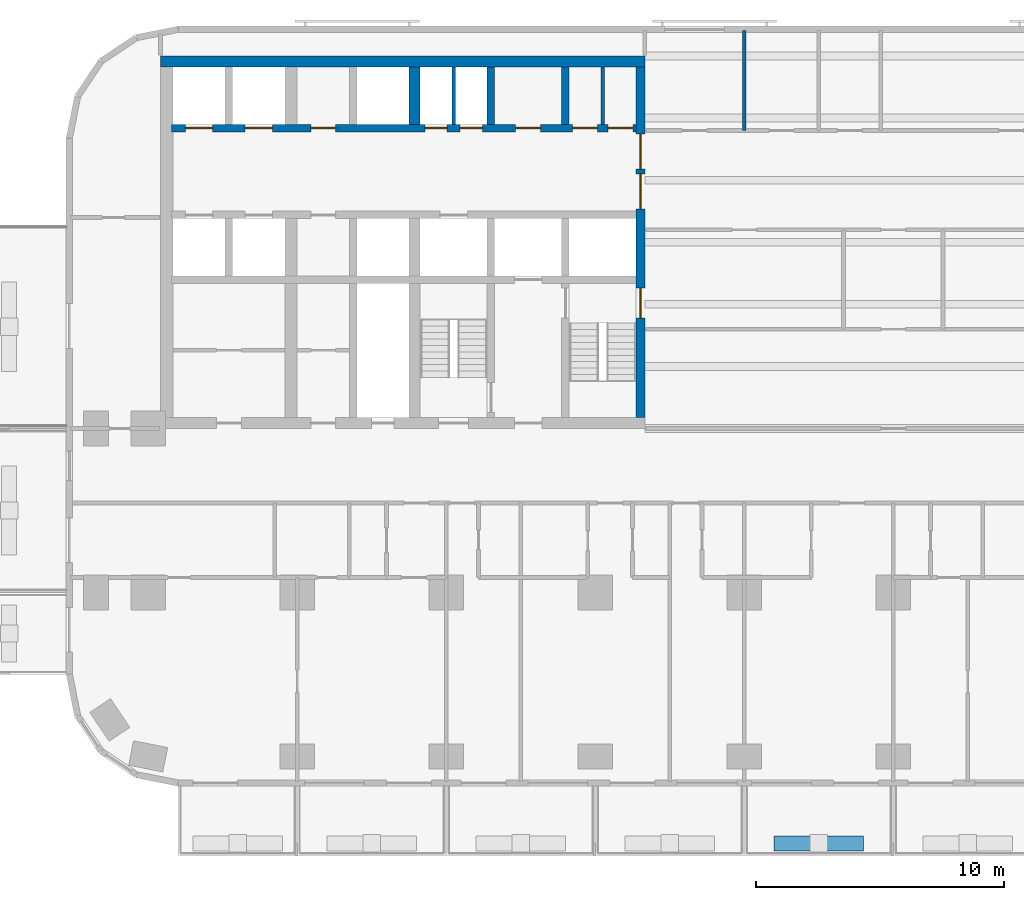
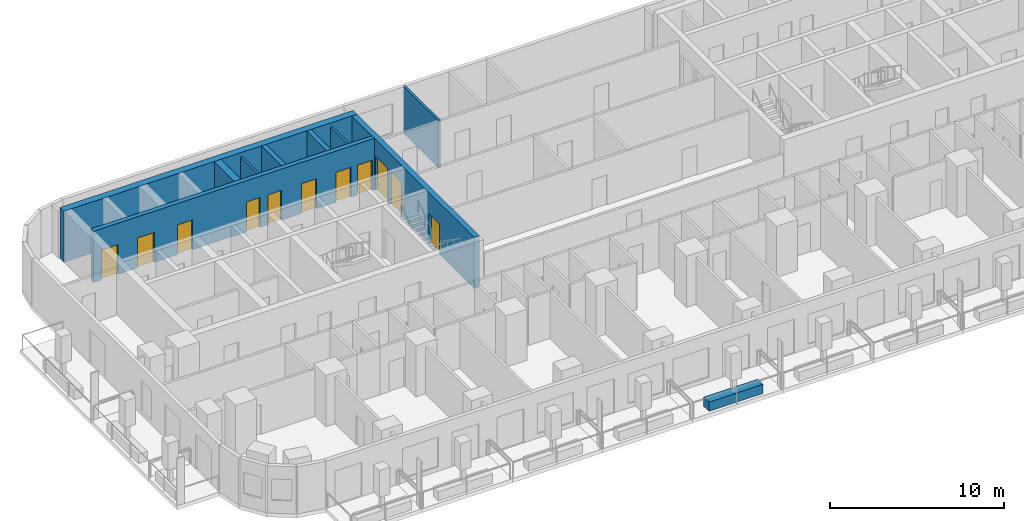
# One storey, part 4 of 15: 11 doors, 10 walls, 11 openings.
"""IFC4 building model written with IfcOpenShell, lengths in metres."""

from ifc_helpers import new_model, si_unit, direction, frame, frame_2d, origin, place, context, subcontext, project, spatial, rectangle, extrude, material, layer, layer_set, type_object, element, fill, save


model = new_model("IFC4")

# Units and contexts
model_context = context("Model", 3, precision=1e-05, world=origin(), true_north=direction((0.0, 1.0)))
body_context = subcontext(model_context, "Body", "Model", "MODEL_VIEW")
ifc_project = project(units=[si_unit("LENGTHUNIT", "METRE"), si_unit("AREAUNIT", "SQUARE_METRE"), si_unit("VOLUMEUNIT", "CUBIC_METRE"), si_unit("PLANEANGLEUNIT", "RADIAN"), si_unit("MASSUNIT", "GRAM", prefix="KILO")], contexts=[model_context])

# Site, building, storey
site_placement = place(None, origin())
site = spatial("IfcSite", under=ifc_project, at=site_placement, CompositionType="ELEMENT")
building_placement = place(site_placement, origin())
building = spatial("IfcBuilding", under=site, at=building_placement, Name="Torana Hotel and Residences", CompositionType="ELEMENT")
storey_placement = place(building_placement, frame((0.0, 0.0, 70.800048828125)))
storey = spatial("IfcBuildingStorey", under=building, at=storey_placement, Name="L17", CompositionType="ELEMENT", Elevation=70.800048828125)

# Wall, openings, doors
ifc_material_1 = material(Name="Concrete C80/95", Category="concrete")
ifc_layer_1 = layer(ifc_material_1, 0.300048828125)
ifc_layer_set_1 = layer_set([ifc_layer_1], Name="CORE WALL 300 C80/95")
wall_type_1 = type_object("IfcWallType", Name="CORE WALL 300 C80/95", PredefinedType="SHEAR", material=ifc_layer_set_1)
wall_1_placement = place(storey_placement, frame((-29.050048828125, -2.89990234375, 0.0), z_axis=(0.0, 0.0, 1.0), x_axis=(1.0, 0.0, 0.0)))
wall_1 = element("IfcWall", 1, at=wall_1_placement, inside=storey, type_object=wall_type_1, Name="Core wall W row-N", PredefinedType="SHEAR", context=body_context, shape_type="SweptSolid", body=[
    extrude(rectangle(XDim=18.699951171875, YDim=0.300048828125, at=frame_2d((9.35009765625, 0.0))), origin(), (0.0, 0.0, 1.0), 3.599853515625),
])
opening_1_placement = place(wall_1_placement, frame((2.949951171875, 0.0, 0.0)))
opening_1 = element("IfcOpeningElement", 2, at=opening_1_placement, cuts=wall_1, Name="Opening LD", PredefinedType="OPENING", context=body_context, shape_type="SweptSolid", body=[
    extrude(rectangle(XDim=1.10009765625, YDim=2.10009765625, at=frame_2d((0.550048828125, 1.050048828125))), frame((0.0, 0.159912109375, 0.0), z_axis=(0.0, -1.0, 0.0), x_axis=(1.0, 0.0, 0.0)), (0.0, 0.0, 1.0), 0.320068359375),
])
opening_2_placement = place(wall_1_placement, frame((0.550048828125, 0.0, 0.0)))
opening_2 = element("IfcOpeningElement", 3, at=opening_2_placement, cuts=wall_1, Name="Opening LD", PredefinedType="OPENING", context=body_context, shape_type="SweptSolid", body=[
    extrude(rectangle(XDim=1.10009765625, YDim=2.10009765625, at=frame_2d((0.550048828125, 1.050048828125))), frame((0.0, 0.159912109375, 0.0), z_axis=(0.0, -1.0, 0.0), x_axis=(1.0, 0.0, 0.0)), (0.0, 0.0, 1.0), 0.320068359375),
])
opening_3_placement = place(wall_1_placement, frame((11.612548828125, 0.0, 0.0)))
opening_3 = element("IfcOpeningElement", 4, at=opening_3_placement, cuts=wall_1, Name="Opening L17-09", PredefinedType="OPENING", context=body_context, shape_type="SweptSolid", body=[
    extrude(rectangle(XDim=0.89990234375, YDim=2.10009765625, at=frame_2d((0.449951171875, 1.050048828125))), frame((0.0, 0.159912109375, 0.0), z_axis=(0.0, -1.0, 0.0), x_axis=(1.0, 0.0, 0.0)), (0.0, 0.0, 1.0), 0.320068359375),
])
opening_4_placement = place(wall_1_placement, frame((10.1875, 0.0, 0.0)))
opening_4 = element("IfcOpeningElement", 5, at=opening_4_placement, cuts=wall_1, Name="Opening L17-10", PredefinedType="OPENING", context=body_context, shape_type="SweptSolid", body=[
    extrude(rectangle(XDim=0.89990234375, YDim=2.10009765625, at=frame_2d((0.449951171875, 1.050048828125))), frame((0.0, 0.159912109375, 0.0), z_axis=(0.0, -1.0, 0.0), x_axis=(1.0, 0.0, 0.0)), (0.0, 0.0, 1.0), 0.320068359375),
])
opening_5_placement = place(wall_1_placement, frame((17.5625, 0.0, 0.0)))
opening_5 = element("IfcOpeningElement", 6, at=opening_5_placement, cuts=wall_1, Name="Opening L17-11", PredefinedType="OPENING", context=body_context, shape_type="SweptSolid", body=[
    extrude(rectangle(XDim=1.0, YDim=2.10009765625, at=frame_2d((0.5, 1.050048828125))), frame((0.0, 0.159912109375, 0.0), z_axis=(0.0, -1.0, 0.0), x_axis=(1.0, 0.0, 0.0)), (0.0, 0.0, 1.0), 0.320068359375),
])
opening_6_placement = place(wall_1_placement, frame((16.137451171875, 0.0, 0.0)))
opening_6 = element("IfcOpeningElement", 7, at=opening_6_placement, cuts=wall_1, Name="Opening L17-12", PredefinedType="OPENING", context=body_context, shape_type="SweptSolid", body=[
    extrude(rectangle(XDim=1.0, YDim=2.10009765625, at=frame_2d((0.5, 1.050048828125))), frame((0.0, 0.159912109375, 0.0), z_axis=(0.0, -1.0, 0.0), x_axis=(1.0, 0.0, 0.0)), (0.0, 0.0, 1.0), 0.320068359375),
])
opening_7_placement = place(wall_1_placement, frame((13.85009765625, 0.0, 0.0)))
opening_7 = element("IfcOpeningElement", 8, at=opening_7_placement, cuts=wall_1, Name="Opening L17-13", PredefinedType="OPENING", context=body_context, shape_type="SweptSolid", body=[
    extrude(rectangle(XDim=1.0, YDim=2.10009765625, at=frame_2d((0.5, 1.050048828125))), frame((0.0, 0.159912109375, 0.0), z_axis=(0.0, -1.0, 0.0), x_axis=(1.0, 0.0, 0.0)), (0.0, 0.0, 1.0), 0.320068359375),
])
opening_8_placement = place(wall_1_placement, frame((5.60009765625, 0.0, 0.0)))
opening_8 = element("IfcOpeningElement", 9, at=opening_8_placement, cuts=wall_1, Name="Opening L17-14", PredefinedType="OPENING", context=body_context, shape_type="SweptSolid", body=[
    extrude(rectangle(XDim=1.0, YDim=2.10009765625, at=frame_2d((0.5, 1.050048828125))), frame((0.0, 0.159912109375, 0.0), z_axis=(0.0, -1.0, 0.0), x_axis=(1.0, 0.0, 0.0)), (0.0, 0.0, 1.0), 0.320068359375),
])
ifc_material_2 = material(Name="Steel S235", Category="steel")
door_type_1 = type_object("IfcDoorType", Name="CORE ROOM FIRE DOOR D14 1000x2100", OperationType="SINGLE_SWING_LEFT", PredefinedType="DOOR", material=ifc_material_2)
door_1_placement = place(opening_5_placement, origin())
door_1 = element("IfcDoor", 10, at=door_1_placement, inside=storey, type_object=door_type_1, Name="N0A door L17", OperationType="SINGLE_SWING_RIGHT", OverallHeight=2.10009765625, OverallWidth=1.0, PredefinedType="DOOR", context=body_context, shape_type="SweptSolid", body=[
    extrude(rectangle(XDim=1.0, YDim=2.10009765625, at=frame_2d((0.5, 1.050048828125))), frame((0.0, 0.02490234375, 0.0), z_axis=(0.0, -1.0, 0.0), x_axis=(1.0, 0.0, 0.0)), (0.0, 0.0, 1.0), 0.050048828125),
])
fill(opening_5, door_1)
door_2_placement = place(opening_6_placement, origin())
door_2 = element("IfcDoor", 11, at=door_2_placement, inside=storey, type_object=door_type_1, Name="N0B door L17", OperationType="SINGLE_SWING_RIGHT", OverallHeight=2.10009765625, OverallWidth=1.0, PredefinedType="DOOR", context=body_context, shape_type="SweptSolid", body=[
    extrude(rectangle(XDim=1.0, YDim=2.10009765625, at=frame_2d((0.5, 1.050048828125))), frame((0.0, 0.02490234375, 0.0), z_axis=(0.0, -1.0, 0.0), x_axis=(1.0, 0.0, 0.0)), (0.0, 0.0, 1.0), 0.050048828125),
])
fill(opening_6, door_2)
door_3_placement = place(opening_7_placement, origin())
door_3 = element("IfcDoor", 12, at=door_3_placement, inside=storey, type_object=door_type_1, Name="N1 door L17", OperationType="SINGLE_SWING_RIGHT", OverallHeight=2.10009765625, OverallWidth=1.0, PredefinedType="DOOR", context=body_context, shape_type="SweptSolid", body=[
    extrude(rectangle(XDim=1.0, YDim=2.10009765625, at=frame_2d((0.5, 1.050048828125))), frame((0.0, 0.02490234375, 0.0), z_axis=(0.0, -1.0, 0.0), x_axis=(1.0, 0.0, 0.0)), (0.0, 0.0, 1.0), 0.050048828125),
])
fill(opening_7, door_3)
door_4_placement = place(opening_8_placement, origin())
door_4 = element("IfcDoor", 13, at=door_4_placement, inside=storey, type_object=door_type_1, Name="Free-M1 door L17", OperationType="SINGLE_SWING_RIGHT", OverallHeight=2.10009765625, OverallWidth=1.0, PredefinedType="DOOR", context=body_context, shape_type="SweptSolid", body=[
    extrude(rectangle(XDim=1.0, YDim=2.10009765625, at=frame_2d((0.5, 1.050048828125))), frame((0.0, 0.02490234375, 0.0), z_axis=(0.0, -1.0, 0.0), x_axis=(1.0, 0.0, 0.0)), (0.0, 0.0, 1.0), 0.050048828125),
])
fill(opening_8, door_4)
ifc_material_3 = material(Name="Stainless steel 316", Category="steel")
door_type_2 = type_object("IfcDoorType", Name="LIFT LANDING DOOR LD 1100x2100", OperationType="DOUBLE_DOOR_SLIDING", PredefinedType="USERDEFINED", material=ifc_material_3)
door_5_placement = place(opening_1_placement, origin())
door_5 = element("IfcDoor", 14, at=door_5_placement, inside=storey, type_object=door_type_2, Name="Lift landing door L1 L17", ObjectType="LIFT LANDING DOOR", OperationType="DOUBLE_DOOR_SLIDING", OverallHeight=2.10009765625, OverallWidth=1.10009765625, PredefinedType="USERDEFINED", context=body_context, shape_type="SweptSolid", body=[
    extrude(rectangle(XDim=1.10009765625, YDim=2.10009765625, at=frame_2d((0.550048828125, 1.050048828125))), frame((0.0, 0.02490234375, 0.0), z_axis=(0.0, -1.0, 0.0), x_axis=(1.0, 0.0, 0.0)), (0.0, 0.0, 1.0), 0.050048828125),
])
fill(opening_1, door_5)
door_6_placement = place(opening_2_placement, origin())
door_6 = element("IfcDoor", 15, at=door_6_placement, inside=storey, type_object=door_type_2, Name="Lift landing door L2 L17", ObjectType="LIFT LANDING DOOR", OperationType="DOUBLE_DOOR_SLIDING", OverallHeight=2.10009765625, OverallWidth=1.10009765625, PredefinedType="USERDEFINED", context=body_context, shape_type="SweptSolid", body=[
    extrude(rectangle(XDim=1.10009765625, YDim=2.10009765625, at=frame_2d((0.550048828125, 1.050048828125))), frame((0.0, 0.02490234375, 0.0), z_axis=(0.0, -1.0, 0.0), x_axis=(1.0, 0.0, 0.0)), (0.0, 0.0, 1.0), 0.050048828125),
])
fill(opening_2, door_6)
ifc_material_4 = material(Name="Steel S235", Category="steel")
door_type_3 = type_object("IfcDoorType", Name="RISER ACCESS DOOR D5 900x2100", OperationType="SINGLE_SWING_LEFT", PredefinedType="DOOR", material=ifc_material_4)
door_7_placement = place(opening_3_placement, origin())
door_7 = element("IfcDoor", 16, at=door_7_placement, inside=storey, type_object=door_type_3, Name="N2A door L17", OperationType="SINGLE_SWING_RIGHT", OverallHeight=2.10009765625, OverallWidth=0.89990234375, PredefinedType="DOOR", context=body_context, shape_type="SweptSolid", body=[
    extrude(rectangle(XDim=0.89990234375, YDim=2.10009765625, at=frame_2d((0.449951171875, 1.050048828125))), frame((0.0, 0.02490234375, 0.0), z_axis=(0.0, -1.0, 0.0), x_axis=(1.0, 0.0, 0.0)), (0.0, 0.0, 1.0), 0.050048828125),
])
fill(opening_3, door_7)
door_8_placement = place(opening_4_placement, origin())
door_8 = element("IfcDoor", 17, at=door_8_placement, inside=storey, type_object=door_type_3, Name="N2B door L17", OperationType="SINGLE_SWING_RIGHT", OverallHeight=2.10009765625, OverallWidth=0.89990234375, PredefinedType="DOOR", context=body_context, shape_type="SweptSolid", body=[
    extrude(rectangle(XDim=0.89990234375, YDim=2.10009765625, at=frame_2d((0.449951171875, 1.050048828125))), frame((0.0, 0.02490234375, 0.0), z_axis=(0.0, -1.0, 0.0), x_axis=(1.0, 0.0, 0.0)), (0.0, 0.0, 1.0), 0.050048828125),
])
fill(opening_4, door_8)

# Walls
for number, where, z_axis, x_axis, name in (
    (18, (-13.199951171875, -2.75, 0.0), (0.0, 0.0, 1.0), (0.0, 1.0, 0.0), "Core wall W x3.05-N"),
    (19, (-16.199951171875, -2.75, 0.0), (0.0, 0.0, 1.0), (0.0, 1.0, 0.0), "Core wall W x6.05-N"),
):
    element("IfcWall", number, at=place(storey_placement, frame(where, z_axis=z_axis, x_axis=x_axis)), inside=storey, type_object=wall_type_1, Name=name, PredefinedType="SHEAR", context=body_context, shape_type="SweptSolid", body=[
        extrude(rectangle(XDim=2.300048828125, YDim=0.300048828125, at=frame_2d((1.14990234375, 0.0))), origin(), (0.0, 0.0, 1.0), 3.599853515625),
    ])

# Wall, openings, doors
ifc_material_5 = material(Name="Concrete C80/95", Category="concrete")
ifc_layer_2 = layer(ifc_material_5, 0.35009765625)
ifc_layer_set_2 = layer_set([ifc_layer_2], Name="CORE WALL 350 C80/95")
wall_type_2 = type_object("IfcWallType", Name="CORE WALL 350 C80/95", PredefinedType="SHEAR", material=ifc_layer_set_2)
wall_2_placement = place(storey_placement, frame((-10.175048828125, -14.550048828125, 0.0), z_axis=(0.0, 0.0, 1.0), x_axis=(0.0, 1.0, 0.0)))
wall_2 = element("IfcWall", 20, at=wall_2_placement, inside=storey, type_object=wall_type_2, Name="Core wall W arch", PredefinedType="SHEAR", context=body_context, shape_type="SweptSolid", body=[
    extrude(rectangle(XDim=14.10009765625, YDim=0.35009765625, at=frame_2d((7.050048828125, 0.0))), origin(), (0.0, 0.0, 1.0), 3.599853515625),
])
opening_9_placement = place(wall_2_placement, frame((8.39990234375, 0.0, 0.0)))
opening_9 = element("IfcOpeningElement", 21, at=opening_9_placement, cuts=wall_2, Name="Opening L17-01", PredefinedType="OPENING", context=body_context, shape_type="SweptSolid", body=[
    extrude(rectangle(XDim=1.39990234375, YDim=2.39990234375, at=frame_2d((0.699951171875, 1.199951171875))), frame((0.0, 0.18505859375, 0.0), z_axis=(0.0, -1.0, 0.0), x_axis=(1.0, 0.0, 0.0)), (0.0, 0.0, 1.0), 0.3701171875),
])
opening_10_placement = place(wall_2_placement, frame((10.0, 0.0, 0.0)))
opening_10 = element("IfcOpeningElement", 22, at=opening_10_placement, cuts=wall_2, Name="Opening L17-02", PredefinedType="OPENING", context=body_context, shape_type="SweptSolid", body=[
    extrude(rectangle(XDim=1.39990234375, YDim=2.39990234375, at=frame_2d((0.699951171875, 1.199951171875))), frame((0.0, 0.18505859375, 0.0), z_axis=(0.0, -1.0, 0.0), x_axis=(1.0, 0.0, 0.0)), (0.0, 0.0, 1.0), 0.3701171875),
])
opening_11_placement = place(wall_2_placement, frame((4.0, 0.0, 0.0)))
opening_11 = element("IfcOpeningElement", 23, at=opening_11_placement, cuts=wall_2, Name="Opening L17-03", PredefinedType="OPENING", context=body_context, shape_type="SweptSolid", body=[
    extrude(rectangle(XDim=1.199951171875, YDim=2.10009765625, at=frame_2d((0.60009765625, 1.050048828125))), frame((0.0, 0.18505859375, 0.0), z_axis=(0.0, -1.0, 0.0), x_axis=(1.0, 0.0, 0.0)), (0.0, 0.0, 1.0), 0.3701171875),
])
ifc_material_6 = material(Name="Steel S235", Category="steel")
door_type_4 = type_object("IfcDoorType", Name="LOBBY FIRE DOOR D4 1400x2400", OperationType="DOUBLE_DOOR_SINGLE_SWING", PredefinedType="DOOR", material=ifc_material_6)
door_9_placement = place(opening_9_placement, origin())
door_9 = element("IfcDoor", 24, at=door_9_placement, inside=storey, type_object=door_type_4, Name="Lobby-1 door L17", OperationType="DOUBLE_DOOR_SINGLE_SWING", OverallHeight=2.39990234375, OverallWidth=1.39990234375, PredefinedType="DOOR", context=body_context, shape_type="SweptSolid", body=[
    extrude(rectangle(XDim=1.39990234375, YDim=2.39990234375, at=frame_2d((0.699951171875, 1.199951171875))), frame((0.0, 0.02490234375, 0.0), z_axis=(0.0, -1.0, 0.0), x_axis=(1.0, 0.0, 0.0)), (0.0, 0.0, 1.0), 0.050048828125),
])
fill(opening_9, door_9)
door_10_placement = place(opening_10_placement, origin())
door_10 = element("IfcDoor", 25, at=door_10_placement, inside=storey, type_object=door_type_4, Name="Lobby-2 door L17", OperationType="DOUBLE_DOOR_SINGLE_SWING", OverallHeight=2.39990234375, OverallWidth=1.39990234375, PredefinedType="DOOR", context=body_context, shape_type="SweptSolid", body=[
    extrude(rectangle(XDim=1.39990234375, YDim=2.39990234375, at=frame_2d((0.699951171875, 1.199951171875))), frame((0.0, 0.02490234375, 0.0), z_axis=(0.0, -1.0, 0.0), x_axis=(1.0, 0.0, 0.0)), (0.0, 0.0, 1.0), 0.050048828125),
])
fill(opening_10, door_10)
ifc_material_7 = material(Name="Steel S235", Category="steel")
door_type_5 = type_object("IfcDoorType", Name="STAIR FIRE DOOR D3 1200x2100", OperationType="SINGLE_SWING_LEFT", PredefinedType="DOOR", material=ifc_material_7)
door_11_placement = place(opening_11_placement, origin())
door_11 = element("IfcDoor", 26, at=door_11_placement, inside=storey, type_object=door_type_5, Name="Stair-A door L17", OperationType="SINGLE_SWING_LEFT", OverallHeight=2.10009765625, OverallWidth=1.199951171875, PredefinedType="DOOR", context=body_context, shape_type="SweptSolid", body=[
    extrude(rectangle(XDim=1.199951171875, YDim=2.10009765625, at=frame_2d((0.60009765625, 1.050048828125))), frame((0.0, 0.02490234375, 0.0), z_axis=(0.0, -1.0, 0.0), x_axis=(1.0, 0.0, 0.0)), (0.0, 0.0, 1.0), 0.050048828125),
])
fill(opening_11, door_11)

# Walls
ifc_material_8 = material(Name="Concrete C80/95", Category="concrete")
ifc_layer_3 = layer(ifc_material_8, 0.449951171875)
ifc_layer_set_3 = layer_set([ifc_layer_3], Name="CORE WALL 450 C80/95")
wall_type_3 = type_object("IfcWallType", Name="CORE WALL 450 C80/95", PredefinedType="SHEAR", material=ifc_layer_set_3)
wall_3_placement = place(storey_placement, frame((-29.5, -0.22509765625, 0.0), z_axis=(0.0, 0.0, 1.0), x_axis=(1.0, 0.0, 0.0)))
element("IfcWall", 27, at=wall_3_placement, inside=storey, type_object=wall_type_3, Name="Core wall W rear", PredefinedType="SHEAR", context=body_context, shape_type="SweptSolid", body=[
    extrude(rectangle(XDim=19.5, YDim=0.449951171875, at=frame_2d((9.75, 0.0))), origin(), (0.0, 0.0, 1.0), 3.599853515625),
])
wall_4_placement = place(storey_placement, frame((-19.27490234375, -2.75, 0.0), z_axis=(0.0, 0.0, 1.0), x_axis=(0.0, 1.0, 0.0)))
element("IfcWall", 28, at=wall_4_placement, inside=storey, type_object=wall_type_3, Name="Core wall W hm-N", PredefinedType="SHEAR", context=body_context, shape_type="SweptSolid", body=[
    extrude(rectangle(XDim=2.300048828125, YDim=0.449951171875, at=frame_2d((1.14990234375, 0.0))), origin(), (0.0, 0.0, 1.0), 3.599853515625),
])
ifc_material_9 = material(Name="Gypsum plaster")
ifc_layer_4 = layer(ifc_material_9, 0.014892578125, Name="Plaster", Category="finish")
ifc_material_10 = material(Name="Concrete blockwork", Category="masonry")
ifc_layer_5 = layer(ifc_material_10, 0.1201171875, Name="Blockwork", Category="structure")
ifc_layer_6 = layer(ifc_material_9, 0.014892578125, Name="Plaster", Category="finish")
ifc_layer_set_4 = layer_set([ifc_layer_4, ifc_layer_5, ifc_layer_6], Name="FIRE PARTITION 150 BLOCKWORK")
wall_type_4 = type_object("IfcWallType", Name="FIRE PARTITION 150 BLOCKWORK", PredefinedType="PARTITIONING", material=ifc_layer_set_4)
for number, where, z_axis, x_axis, name in (
    (29, (-17.699951171875, -2.75, 0.0), (0.0, 0.0, 1.0), (0.0, 1.0, 0.0), "Core partition L17"),
    (30, (-11.699951171875, -2.75, 0.0), (0.0, 0.0, 1.0), (0.0, 1.0, 0.0), "Core partition L17"),
):
    element("IfcWall", number, at=place(storey_placement, frame(where, z_axis=z_axis, x_axis=x_axis)), inside=storey, type_object=wall_type_4, Name=name, PredefinedType="PARTITIONING", context=body_context, shape_type="SweptSolid", body=[
        extrude(rectangle(XDim=2.300048828125, YDim=0.14990234375, at=frame_2d((1.14990234375, 0.0))), origin(), (0.0, 0.0, 1.0), 3.300048828125),
    ])
ifc_material_11 = material(Name="Concrete C40/50 precast", Category="concrete")
ifc_layer_7 = layer(ifc_material_11, 0.10009765625, Name="Planter shell", Category="structure")
ifc_material_12 = material(Name="Root resistant membrane")
ifc_layer_8 = layer(ifc_material_12, 0.00390625, Name="Waterproofing membrane", Category="membrane")
ifc_material_13 = material(Name="Drainage board with filter fleece")
ifc_layer_9 = layer(ifc_material_13, 0.02001953125, Name="Drainage board", Category="drainage")
ifc_material_14 = material(Name="Growing medium")
ifc_layer_10 = layer(ifc_material_14, 0.47607421875, Name="Planting substrate", Category="soil")
ifc_layer_set_5 = layer_set([ifc_layer_7, ifc_layer_8, ifc_layer_9, ifc_layer_10], Name="PL1 BALCONY PLANTER 600")
wall_type_5 = type_object("IfcWallType", Name="PL1 BALCONY PLANTER 600", PredefinedType="USERDEFINED", material=ifc_layer_set_5)
wall_5_placement = place(storey_placement, frame((-1.199951171875, -31.699951171875, 0.0), z_axis=(0.0, 0.0, 1.0), x_axis=(-1.0, 0.0, 0.0)))
element("IfcWall", 31, at=wall_5_placement, inside=storey, type_object=wall_type_5, Name="Planter 05", ObjectType="PLANTER", PredefinedType="USERDEFINED", context=body_context, shape_type="SweptSolid", body=[
    extrude(rectangle(XDim=3.60009765625, YDim=0.60009765625, at=frame_2d((1.800048828125, 0.0))), origin(), (0.0, 0.0, 1.0), 0.64990234375),
])
ifc_material_15 = material(Name="Ceramic tile on adhesive")
ifc_layer_11 = layer(ifc_material_15, 0.010009765625, Name="Wall tile", Category="finish")
ifc_material_16 = material(Name="Cement render")
ifc_layer_12 = layer(ifc_material_16, 0.010009765625, Name="Render", Category="finish")
ifc_layer_13 = layer(ifc_material_10, 0.110107421875, Name="Blockwork", Category="structure")
ifc_layer_14 = layer(ifc_material_16, 0.010009765625, Name="Render", Category="finish")
ifc_layer_15 = layer(ifc_material_15, 0.010009765625, Name="Wall tile", Category="finish")
ifc_layer_set_6 = layer_set([ifc_layer_11, ifc_layer_12, ifc_layer_13, ifc_layer_14, ifc_layer_15], Name="WC PARTITION 150")
wall_type_6 = type_object("IfcWallType", Name="WC PARTITION 150", PredefinedType="PLUMBINGWALL", material=ifc_layer_set_6)
wall_6_placement = place(storey_placement, frame((-6.0, -3.0, 0.0), z_axis=(0.0, 0.0, 1.0), x_axis=(0.0, 1.0, 0.0)))
element("IfcWall", 32, at=wall_6_placement, inside=storey, type_object=wall_type_6, Name="Partition L17", PredefinedType="PLUMBINGWALL", context=body_context, shape_type="SweptSolid", body=[
    extrude(rectangle(XDim=4.02001953125, YDim=0.14990234375, at=frame_2d((2.010009765625, 0.0))), origin(), (0.0, 0.0, 1.0), 3.320068359375),
])

save(model, "model.ifc")
